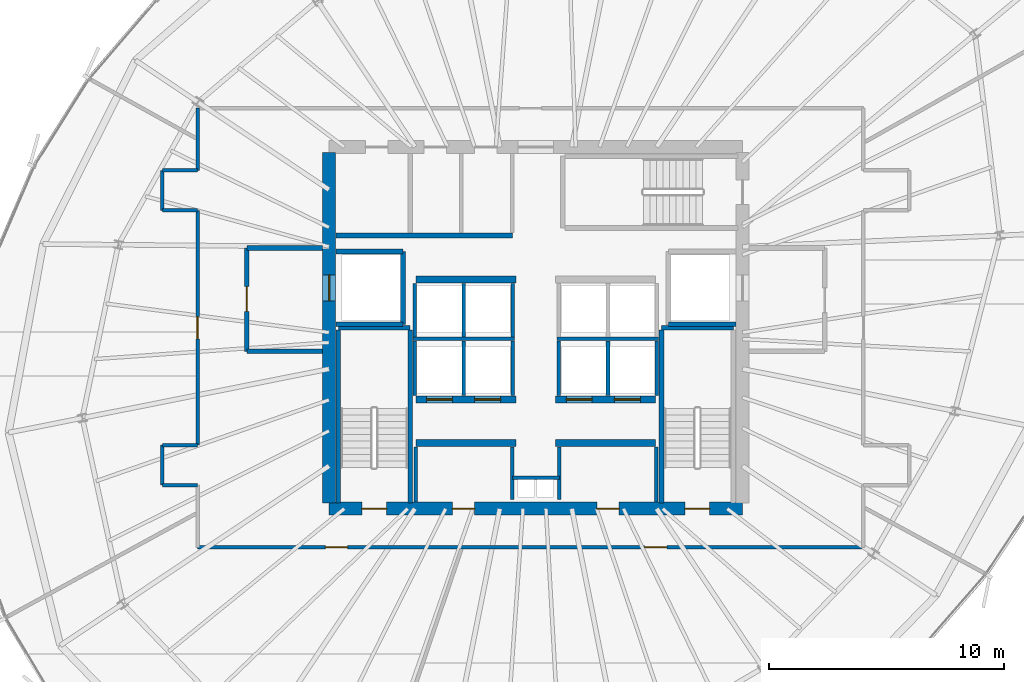
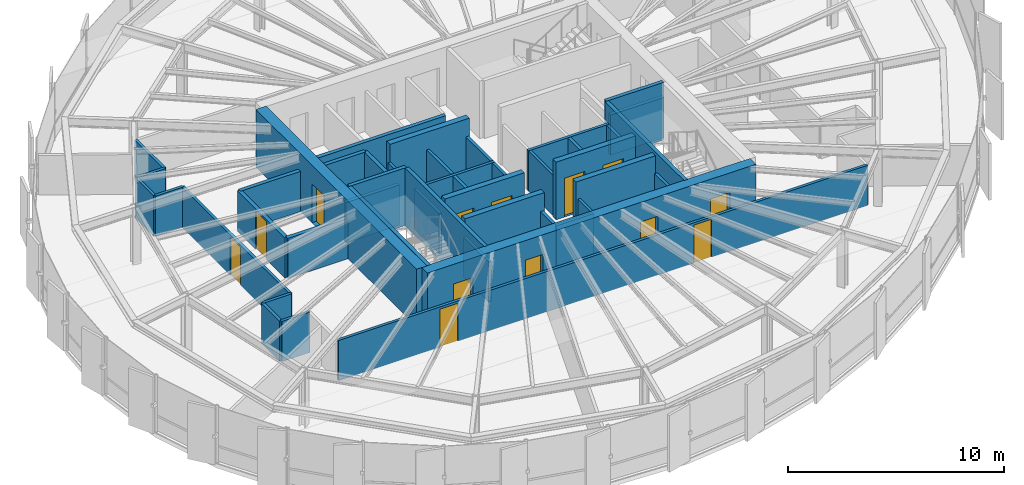
# One storey, part 29 of 34: 45 walls, 13 doors, 13 openings.
"""IFC4 building model written with IfcOpenShell, lengths in metres."""

from ifc_helpers import new_model, si_unit, direction, frame, frame_2d, origin, place, context, subcontext, project, spatial, rectangle, extrude, source, transform, mapped, material, layer, layer_set, type_object, element, fill, save


model = new_model("IFC4")

# Units and contexts
model_context = context("Model", 3, precision=1e-05, world=origin(), true_north=direction((0.0, 1.0)))
body_context = subcontext(model_context, "Body", "Model", "MODEL_VIEW")
ifc_project = project(units=[si_unit("LENGTHUNIT", "METRE"), si_unit("AREAUNIT", "SQUARE_METRE"), si_unit("VOLUMEUNIT", "CUBIC_METRE"), si_unit("PLANEANGLEUNIT", "RADIAN"), si_unit("MASSUNIT", "GRAM", prefix="KILO"), si_unit("THERMODYNAMICTEMPERATUREUNIT", "KELVIN")], contexts=[model_context])

# Site, building, storey
site_placement = place(None, origin())
site = spatial("IfcSite", under=ifc_project, at=site_placement, CompositionType="ELEMENT")
building_placement = place(site_placement, origin())
building = spatial("IfcBuilding", under=site, at=building_placement, Name="Kethvar Cultural Tower", CompositionType="ELEMENT")
storey_placement = place(building_placement, frame((0.0, 0.0, 183.39990234375)))
storey = spatial("IfcBuildingStorey", under=building, at=storey_placement, Name="L47", CompositionType="ELEMENT", Elevation=183.39990234375)

# Wall, openings, doors
ifc_material_1 = material(Name="Concrete C60/75", Category="concrete")
ifc_layer_1 = layer(ifc_material_1, 0.550048828125, Name="Concrete C60/75", Category="concrete")
ifc_layer_set_1 = layer_set([ifc_layer_1], Name="Concrete C60/75 (550 mm)")
wall_type_1 = type_object("IfcWallType", Name="WL-CORE-550", PredefinedType="SHEAR", material=ifc_layer_set_1)
wall_1_placement = place(storey_placement, frame((38.0, 20.10009765625, 0.0), z_axis=(0.0, 0.0, 1.0), x_axis=(1.0, 0.0, 0.0)))
wall_1 = element("IfcWall", 1, at=wall_1_placement, inside=storey, type_object=wall_type_1, Name="L47 Core Shear Wall S", PredefinedType="SHEAR", context=body_context, shape_type="SweptSolid", body=[
    extrude(rectangle(XDim=17.60009765625, YDim=0.550048828125, at=frame_2d((8.800048828125, 0.0))), origin(), (0.0, 0.0, 1.0), 3.260009765625),
])
opening_1_placement = place(wall_1_placement, frame((1.39990234375, 0.0, 0.0)))
opening_1 = element("IfcOpeningElement", 2, at=opening_1_placement, cuts=wall_1, Name="Opening D-L47-S1", PredefinedType="OPENING", context=body_context, shape_type="SweptSolid", body=[
    extrude(rectangle(XDim=1.050048828125, YDim=2.14990234375, at=frame_2d((0.52490234375, 1.074951171875))), frame((0.0, 0.284912109375, 0.0), z_axis=(0.0, -1.0, 0.0), x_axis=(1.0, 0.0, 0.0)), (0.0, 0.0, 1.0), 0.570068359375),
])
opening_2_placement = place(wall_1_placement, frame((15.14990234375, 0.0, 0.0)))
opening_2 = element("IfcOpeningElement", 3, at=opening_2_placement, cuts=wall_1, Name="Opening D-L47-ST2", PredefinedType="OPENING", context=body_context, shape_type="SweptSolid", body=[
    extrude(rectangle(XDim=1.050048828125, YDim=2.14990234375, at=frame_2d((0.52490234375, 1.074951171875))), frame((0.0, 0.284912109375, 0.0), z_axis=(0.0, -1.0, 0.0), x_axis=(1.0, 0.0, 0.0)), (0.0, 0.0, 1.0), 0.570068359375),
])
opening_3_placement = place(wall_1_placement, frame((5.25, 0.0, 0.0)))
opening_3 = element("IfcOpeningElement", 4, at=opening_3_placement, cuts=wall_1, Name="Opening D-L47-V1", PredefinedType="OPENING", context=body_context, shape_type="SweptSolid", body=[
    extrude(rectangle(XDim=0.949951171875, YDim=2.14990234375, at=frame_2d((0.47509765625, 1.074951171875))), frame((0.0, 0.284912109375, 0.0), z_axis=(0.0, -1.0, 0.0), x_axis=(1.0, 0.0, 0.0)), (0.0, 0.0, 1.0), 0.570068359375),
])
opening_4_placement = place(wall_1_placement, frame((11.39990234375, 0.0, 0.0)))
opening_4 = element("IfcOpeningElement", 5, at=opening_4_placement, cuts=wall_1, Name="Opening D-L47-V2", PredefinedType="OPENING", context=body_context, shape_type="SweptSolid", body=[
    extrude(rectangle(XDim=0.949951171875, YDim=2.14990234375, at=frame_2d((0.47509765625, 1.074951171875))), frame((0.0, 0.284912109375, 0.0), z_axis=(0.0, -1.0, 0.0), x_axis=(1.0, 0.0, 0.0)), (0.0, 0.0, 1.0), 0.570068359375),
])
ifc_material_2 = material(Name="Steel S355J2", Category="steel")
door_type_1 = type_object("IfcDoorType", Name="DR-FD60-1050", OperationType="NOTDEFINED", PredefinedType="DOOR", material=ifc_material_2)
shared_shape_1 = source(origin(), body_context, "Body", "SweptSolid", [
    extrude(rectangle(XDim=1.050048828125, YDim=2.14990234375, at=frame_2d((0.52490234375, 1.074951171875))), frame((0.0, 0.02490234375, 0.0), z_axis=(0.0, -1.0, 0.0), x_axis=(1.0, 0.0, 0.0)), (0.0, 0.0, 1.0), 0.050048828125),
])
door_1_placement = place(opening_1_placement, origin())
door_1 = element("IfcDoor", 6, at=door_1_placement, inside=storey, type_object=door_type_1, Name="L47 Exit Stair 1 Door", OperationType="SINGLE_SWING_LEFT", OverallHeight=2.14990234375, OverallWidth=1.050048828125, PredefinedType="DOOR", context=body_context, shape_type="MappedRepresentation", body=[
    mapped(shared_shape_1, transform((0.0, 0.0, 0.0), scale=1.0)),
])
fill(opening_1, door_1)
door_2_placement = place(opening_2_placement, origin())
door_2 = element("IfcDoor", 7, at=door_2_placement, inside=storey, type_object=door_type_1, Name="L47 Exit Stair 2 Door", OperationType="SINGLE_SWING_RIGHT", OverallHeight=2.14990234375, OverallWidth=1.050048828125, PredefinedType="DOOR", context=body_context, shape_type="MappedRepresentation", body=[
    mapped(shared_shape_1, transform((0.0, 0.0, 0.0), scale=1.0)),
])
fill(opening_2, door_2)
ifc_material_3 = material(Name="Architectural Oak Timber", Category="wood")
door_type_2 = type_object("IfcDoorType", Name="DR-FD30-950", OperationType="NOTDEFINED", PredefinedType="DOOR", material=ifc_material_3)
shared_shape_2 = source(origin(), body_context, "Body", "SweptSolid", [
    extrude(rectangle(XDim=0.949951171875, YDim=2.14990234375, at=frame_2d((0.47509765625, 1.074951171875))), frame((0.0, 0.02490234375, 0.0), z_axis=(0.0, -1.0, 0.0), x_axis=(1.0, 0.0, 0.0)), (0.0, 0.0, 1.0), 0.050048828125),
])
door_3_placement = place(opening_3_placement, origin())
door_3 = element("IfcDoor", 8, at=door_3_placement, inside=storey, type_object=door_type_2, Name="L47 Reclaimed West Room Door", OperationType="SINGLE_SWING_LEFT", OverallHeight=2.14990234375, OverallWidth=0.949951171875, PredefinedType="DOOR", context=body_context, shape_type="MappedRepresentation", body=[
    mapped(shared_shape_2, transform((0.0, 0.0, 0.0), scale=1.0)),
])
fill(opening_3, door_3)
door_4_placement = place(opening_4_placement, origin())
door_4 = element("IfcDoor", 9, at=door_4_placement, inside=storey, type_object=door_type_2, Name="L47 Reclaimed East Room Door", OperationType="SINGLE_SWING_RIGHT", OverallHeight=2.14990234375, OverallWidth=0.949951171875, PredefinedType="DOOR", context=body_context, shape_type="MappedRepresentation", body=[
    mapped(shared_shape_2, transform((0.0, 0.0, 0.0), scale=1.0)),
])
fill(opening_4, door_4)

# Wall, opening, door
wall_2_placement = place(storey_placement, frame((38.0, 35.260009765625, 0.0), z_axis=(0.0, 0.0, 1.0), x_axis=(0.0, -1.0, 0.0)))
wall_2 = element("IfcWall", 10, at=wall_2_placement, inside=storey, type_object=wall_type_1, Name="L47 Core Shear Wall W", PredefinedType="SHEAR", context=body_context, shape_type="SweptSolid", body=[
    extrude(rectangle(XDim=14.919921875, YDim=0.550048828125, at=frame_2d((7.4599609375, 0.0))), origin(), (0.0, 0.0, 1.0), 3.260009765625),
])
opening_5_placement = place(wall_2_placement, frame((5.2099609375, 0.0, 0.0)))
opening_5 = element("IfcOpeningElement", 11, at=opening_5_placement, cuts=wall_2, Name="Opening LD-1", PredefinedType="OPENING", context=body_context, shape_type="SweptSolid", body=[
    extrude(rectangle(XDim=1.10009765625, YDim=2.199951171875, at=frame_2d((0.550048828125, 1.10009765625))), frame((0.0, 0.284912109375, 0.0), z_axis=(0.0, -1.0, 0.0), x_axis=(1.0, 0.0, 0.0)), (0.0, 0.0, 1.0), 0.570068359375),
])
door_type_3 = type_object("IfcDoorType", Name="DR-LIFT-SLIDE-1100", OperationType="NOTDEFINED", PredefinedType="DOOR", material=ifc_material_2)
shared_shape_3 = source(origin(), body_context, "Body", "SweptSolid", [
    extrude(rectangle(XDim=1.10009765625, YDim=2.199951171875, at=frame_2d((0.550048828125, 1.10009765625))), frame((0.0, 0.02490234375, 0.0), z_axis=(0.0, -1.0, 0.0), x_axis=(1.0, 0.0, 0.0)), (0.0, 0.0, 1.0), 0.050048828125),
])
door_5_placement = place(opening_5_placement, origin())
door_5 = element("IfcDoor", 12, at=door_5_placement, inside=storey, type_object=door_type_3, Name="L47 Firefighting Lift Landing Door FFL-01", OperationType="SLIDING_TO_LEFT", OverallHeight=2.199951171875, OverallWidth=1.10009765625, PredefinedType="DOOR", context=body_context, shape_type="MappedRepresentation", body=[
    mapped(shared_shape_3, transform((0.0, 0.0, 0.0), scale=1.0)),
])
fill(opening_5, door_5)

# Walls
ifc_material_4 = material(Name="Gypsum Fireboard Partition")
ifc_layer_2 = layer(ifc_material_4, 0.14990234375, Name="Gypsum Fireboard Partition")
ifc_layer_set_2 = layer_set([ifc_layer_2], Name="Gypsum Fireboard Partition (150 mm)")
wall_type_2 = type_object("IfcWallType", Name="WL-FIRE-150", PredefinedType="PARTITIONING", material=ifc_layer_set_2)
wall_3_placement = place(storey_placement, frame((45.800048828125, 21.419921875, 0.0), z_axis=(0.0, 0.0, 1.0), x_axis=(1.0, 0.0, 0.0)))
element("IfcWall", 13, at=wall_3_placement, inside=storey, type_object=wall_type_2, Name="L47 Core Riser Wall", PredefinedType="PARTITIONING", context=body_context, shape_type="SweptSolid", body=[
    extrude(rectangle(XDim=2.0, YDim=0.14990234375, at=frame_2d((1.0, 0.0))), origin(), (0.0, 0.0, 1.0), 2.280029296875),
])
for number, where, z_axis, x_axis, name in (
    (14, (45.800048828125, 20.47998046875, 0.0), (0.0, 0.0, 1.0), (0.0, 1.0, 0.0), "L47 Core Riser West Wall"),
    (15, (47.800048828125, 20.47998046875, 0.0), (0.0, 0.0, 1.0), (0.0, 1.0, 0.0), "L47 Core Riser East Wall"),
):
    element("IfcWall", number, at=place(storey_placement, frame(where, z_axis=z_axis, x_axis=x_axis)), inside=storey, type_object=wall_type_2, Name=name, PredefinedType="PARTITIONING", context=body_context, shape_type="SweptSolid", body=[
        extrude(rectangle(XDim=2.239990234375, YDim=0.14990234375, at=frame_2d((1.1201171875, 0.0))), origin(), (0.0, 0.0, 1.0), 2.280029296875),
    ])
for number, where, z_axis, x_axis, name in (
    (16, (41.679931640625, 20.385009765625, 0.0), (0.0, 0.0, 1.0), (0.0, 1.0, 0.0), "L47 Reclaimed West Outer Wall"),
    (17, (51.919921875, 20.385009765625, 0.0), (0.0, 0.0, 1.0), (0.0, 1.0, 0.0), "L47 Reclaimed East Outer Wall"),
):
    element("IfcWall", number, at=place(storey_placement, frame(where, z_axis=z_axis, x_axis=x_axis)), inside=storey, type_object=wall_type_2, Name=name, PredefinedType="PARTITIONING", context=body_context, shape_type="SweptSolid", body=[
        extrude(rectangle(XDim=2.344970703125, YDim=0.14990234375, at=frame_2d((1.17236328125, 0.0))), origin(), (0.0, 0.0, 1.0), 2.280029296875),
    ])
wall_4_placement = place(storey_placement, frame((41.580078125, 27.324951171875, 0.0), z_axis=(0.0, 0.0, 1.0), x_axis=(1.0, 0.0, 0.0)))
element("IfcWall", 18, at=wall_4_placement, inside=storey, type_object=wall_type_2, Name="L47 Mid-High Lift Shaft Back Wall W", PredefinedType="PARTITIONING", context=body_context, shape_type="SweptSolid", body=[
    extrude(rectangle(XDim=4.31982421875, YDim=0.14990234375, at=frame_2d((2.159912109375, 0.0))), origin(), (0.0, 0.0, 1.0), 2.280029296875),
])
wall_5_placement = place(storey_placement, frame((47.699951171875, 27.324951171875, 0.0), z_axis=(0.0, 0.0, 1.0), x_axis=(1.0, 0.0, 0.0)))
element("IfcWall", 19, at=wall_5_placement, inside=storey, type_object=wall_type_2, Name="L47 Mid-High Lift Shaft Back Wall E", PredefinedType="PARTITIONING", context=body_context, shape_type="SweptSolid", body=[
    extrude(rectangle(XDim=4.320068359375, YDim=0.14990234375, at=frame_2d((2.16015625, 0.0))), origin(), (0.0, 0.0, 1.0), 2.280029296875),
])
for number, where, z_axis, x_axis, name in (
    (20, (41.64990234375, 24.919921875, 0.0), (0.0, 0.0, 1.0), (0.0, 1.0, 0.0), "L47 Mid-Rise Lift Shaft Outer Wall W"),
    (21, (43.72509765625, 24.919921875, 0.0), (0.0, 0.0, 1.0), (0.0, 1.0, 0.0), "L47 Mid-Rise Lift Shaft Divider W"),
    (22, (45.824951171875, 24.919921875, 0.0), (0.0, 0.0, 1.0), (0.0, 1.0, 0.0), "L47 Mid-Rise Lift Shaft Concourse Wall W"),
    (23, (47.77490234375, 24.919921875, 0.0), (0.0, 0.0, 1.0), (0.0, 1.0, 0.0), "L47 Mid-Rise Lift Shaft Concourse Wall E"),
    (24, (49.875, 24.919921875, 0.0), (0.0, 0.0, 1.0), (0.0, 1.0, 0.0), "L47 Mid-Rise Lift Shaft Divider E"),
    (25, (51.949951171875, 24.919921875, 0.0), (0.0, 0.0, 1.0), (0.0, 1.0, 0.0), "L47 Mid-Rise Lift Shaft Outer Wall E"),
):
    element("IfcWall", number, at=place(storey_placement, frame(where, z_axis=z_axis, x_axis=x_axis)), inside=storey, type_object=wall_type_2, Name=name, PredefinedType="PARTITIONING", context=body_context, shape_type="SweptSolid", body=[
        extrude(rectangle(XDim=2.320068359375, YDim=0.14990234375, at=frame_2d((1.16015625, 0.0))), origin(), (0.0, 0.0, 1.0), 2.280029296875),
    ])
for number, where, z_axis, x_axis, name in (
    (26, (41.64990234375, 27.409912109375, 0.0), (0.0, 0.0, 1.0), (0.0, 1.0, 0.0), "L47 High-Rise Lift Shaft Outer Wall W"),
    (27, (43.72509765625, 27.409912109375, 0.0), (0.0, 0.0, 1.0), (0.0, 1.0, 0.0), "L47 High-Rise Lift Shaft Divider W"),
    (28, (45.824951171875, 27.409912109375, 0.0), (0.0, 0.0, 1.0), (0.0, 1.0, 0.0), "L47 High-Rise Lift Shaft Concourse Wall W"),
):
    element("IfcWall", number, at=place(storey_placement, frame(where, z_axis=z_axis, x_axis=x_axis)), inside=storey, type_object=wall_type_2, Name=name, PredefinedType="PARTITIONING", context=body_context, shape_type="SweptSolid", body=[
        extrude(rectangle(XDim=2.27001953125, YDim=0.14990234375, at=frame_2d((1.135009765625, 0.0))), origin(), (0.0, 0.0, 1.0), 2.280029296875),
    ])

# Wall, openings, doors
wall_6_placement = place(storey_placement, frame((32.39990234375, 18.449951171875, 0.0), z_axis=(0.0, 0.0, 1.0), x_axis=(1.0, 0.0, 0.0)))
wall_6 = element("IfcWall", 29, at=wall_6_placement, inside=storey, type_object=wall_type_2, Name="L47 Corridor Rated Wall S", PredefinedType="PARTITIONING", context=body_context, shape_type="SweptSolid", body=[
    extrude(rectangle(XDim=28.35009765625, YDim=0.14990234375, at=frame_2d((14.175048828125, 0.0))), origin(), (0.0, 0.0, 1.0), 2.280029296875),
])
opening_6_placement = place(wall_6_placement, frame((5.443603515625, 0.0, 0.0)))
opening_6 = element("IfcOpeningElement", 30, at=opening_6_placement, cuts=wall_6, Name="Opening D-L47-01", PredefinedType="OPENING", context=body_context, shape_type="SweptSolid", body=[
    extrude(rectangle(XDim=0.949951171875, YDim=2.14990234375, at=frame_2d((0.47509765625, 1.074951171875))), frame((0.0, 0.0849609375, 0.0), z_axis=(0.0, -1.0, 0.0), x_axis=(1.0, 0.0, 0.0)), (0.0, 0.0, 1.0), 0.169921875),
])
opening_7_placement = place(wall_6_placement, frame((19.031005859375, 0.0, 0.0)))
opening_7 = element("IfcOpeningElement", 31, at=opening_7_placement, cuts=wall_6, Name="Opening D-L47-02", PredefinedType="OPENING", context=body_context, shape_type="SweptSolid", body=[
    extrude(rectangle(XDim=0.949951171875, YDim=2.14990234375, at=frame_2d((0.47509765625, 1.074951171875))), frame((0.0, 0.0849609375, 0.0), z_axis=(0.0, -1.0, 0.0), x_axis=(1.0, 0.0, 0.0)), (0.0, 0.0, 1.0), 0.169921875),
])
door_6_placement = place(opening_6_placement, origin())
door_6 = element("IfcDoor", 32, at=door_6_placement, inside=storey, type_object=door_type_2, Name="L47 Sculpture Media Salon 01 Door", OperationType="SINGLE_SWING_RIGHT", OverallHeight=2.14990234375, OverallWidth=0.949951171875, PredefinedType="DOOR", context=body_context, shape_type="MappedRepresentation", body=[
    mapped(shared_shape_2, transform((0.0, 0.0, 0.0), scale=1.0)),
])
fill(opening_6, door_6)
door_7_placement = place(opening_7_placement, origin())
door_7 = element("IfcDoor", 33, at=door_7_placement, inside=storey, type_object=door_type_2, Name="L47 Design Review Boardroom 02 Door", OperationType="SINGLE_SWING_LEFT", OverallHeight=2.14990234375, OverallWidth=0.949951171875, PredefinedType="DOOR", context=body_context, shape_type="MappedRepresentation", body=[
    mapped(shared_shape_2, transform((0.0, 0.0, 0.0), scale=1.0)),
])
fill(opening_7, door_7)

# Walls
wall_7_placement = place(storey_placement, frame((32.39990234375, 37.14990234375, 0.0), z_axis=(0.0, 0.0, 1.0), x_axis=(0.0, -1.0, 0.0)))
element("IfcWall", 34, at=wall_7_placement, inside=storey, type_object=wall_type_2, Name="L47 Corridor Rated Wall W2", PredefinedType="PARTITIONING", context=body_context, shape_type="SweptSolid", body=[
    extrude(rectangle(XDim=2.64990234375, YDim=0.14990234375, at=frame_2d((1.324951171875, 0.0))), origin(), (0.0, 0.0, 1.0), 2.280029296875),
])
wall_8_placement = place(storey_placement, frame((32.39990234375, 34.5, 0.0), z_axis=(0.0, 0.0, 1.0), x_axis=(-1.0, 0.0, 0.0)))
element("IfcWall", 35, at=wall_8_placement, inside=storey, type_object=wall_type_2, Name="L47 Corridor Rated Wall WNT", PredefinedType="PARTITIONING", context=body_context, shape_type="SweptSolid", body=[
    extrude(rectangle(XDim=1.5, YDim=0.14990234375, at=frame_2d((0.75, 0.0))), origin(), (0.0, 0.0, 1.0), 2.280029296875),
])
wall_9_placement = place(storey_placement, frame((30.89990234375, 34.5, 0.0), z_axis=(0.0, 0.0, 1.0), x_axis=(0.0, -1.0, 0.0)))
element("IfcWall", 36, at=wall_9_placement, inside=storey, type_object=wall_type_2, Name="L47 Corridor Rated Wall WN", PredefinedType="PARTITIONING", context=body_context, shape_type="SweptSolid", body=[
    extrude(rectangle(XDim=1.699951171875, YDim=0.14990234375, at=frame_2d((0.85009765625, 0.0))), origin(), (0.0, 0.0, 1.0), 2.280029296875),
])
wall_10_placement = place(storey_placement, frame((30.89990234375, 32.800048828125, 0.0), z_axis=(0.0, 0.0, 1.0), x_axis=(1.0, 0.0, 0.0)))
element("IfcWall", 37, at=wall_10_placement, inside=storey, type_object=wall_type_2, Name="L47 Corridor Rated Wall WNB", PredefinedType="PARTITIONING", context=body_context, shape_type="SweptSolid", body=[
    extrude(rectangle(XDim=1.5, YDim=0.14990234375, at=frame_2d((0.75, 0.0))), origin(), (0.0, 0.0, 1.0), 2.280029296875),
])

# Wall, opening, door
wall_11_placement = place(storey_placement, frame((32.39990234375, 32.800048828125, 0.0), z_axis=(0.0, 0.0, 1.0), x_axis=(0.0, -1.0, 0.0)))
wall_11 = element("IfcWall", 38, at=wall_11_placement, inside=storey, type_object=wall_type_2, Name="L47 Corridor Rated Wall WM", PredefinedType="PARTITIONING", context=body_context, shape_type="SweptSolid", body=[
    extrude(rectangle(XDim=10.0, YDim=0.14990234375, at=frame_2d((5.0, 0.0))), origin(), (0.0, 0.0, 1.0), 2.280029296875),
])
opening_8_placement = place(wall_11_placement, frame((4.52490234375, 0.0, 0.0)))
opening_8 = element("IfcOpeningElement", 39, at=opening_8_placement, cuts=wall_11, Name="Opening D-L47-05", PredefinedType="OPENING", context=body_context, shape_type="SweptSolid", body=[
    extrude(rectangle(XDim=0.949951171875, YDim=2.14990234375, at=frame_2d((0.47509765625, 1.074951171875))), frame((0.0, 0.0849609375, 0.0), z_axis=(0.0, -1.0, 0.0), x_axis=(1.0, 0.0, 0.0)), (0.0, 0.0, 1.0), 0.169921875),
])
door_8_placement = place(opening_8_placement, origin())
door_8 = element("IfcDoor", 40, at=door_8_placement, inside=storey, type_object=door_type_2, Name="L47 Special Collections Storage 05 Door", OperationType="SINGLE_SWING_RIGHT", OverallHeight=2.14990234375, OverallWidth=0.949951171875, PredefinedType="DOOR", context=body_context, shape_type="MappedRepresentation", body=[
    mapped(shared_shape_2, transform((0.0, 0.0, 0.0), scale=1.0)),
])
fill(opening_8, door_8)

# Walls
wall_12_placement = place(storey_placement, frame((32.39990234375, 22.800048828125, 0.0), z_axis=(0.0, 0.0, 1.0), x_axis=(-1.0, 0.0, 0.0)))
element("IfcWall", 41, at=wall_12_placement, inside=storey, type_object=wall_type_2, Name="L47 Corridor Rated Wall WST", PredefinedType="PARTITIONING", context=body_context, shape_type="SweptSolid", body=[
    extrude(rectangle(XDim=1.5, YDim=0.14990234375, at=frame_2d((0.75, 0.0))), origin(), (0.0, 0.0, 1.0), 2.280029296875),
])
wall_13_placement = place(storey_placement, frame((30.89990234375, 22.800048828125, 0.0), z_axis=(0.0, 0.0, 1.0), x_axis=(0.0, -1.0, 0.0)))
element("IfcWall", 42, at=wall_13_placement, inside=storey, type_object=wall_type_2, Name="L47 Corridor Rated Wall WS", PredefinedType="PARTITIONING", context=body_context, shape_type="SweptSolid", body=[
    extrude(rectangle(XDim=1.699951171875, YDim=0.14990234375, at=frame_2d((0.85009765625, 0.0))), origin(), (0.0, 0.0, 1.0), 2.280029296875),
])
wall_14_placement = place(storey_placement, frame((30.89990234375, 21.10009765625, 0.0), z_axis=(0.0, 0.0, 1.0), x_axis=(1.0, 0.0, 0.0)))
element("IfcWall", 43, at=wall_14_placement, inside=storey, type_object=wall_type_2, Name="L47 Corridor Rated Wall WSB", PredefinedType="PARTITIONING", context=body_context, shape_type="SweptSolid", body=[
    extrude(rectangle(XDim=1.5, YDim=0.14990234375, at=frame_2d((0.75, 0.0))), origin(), (0.0, 0.0, 1.0), 2.280029296875),
])
ifc_material_5 = material(Name="Concrete C40/50", Category="concrete")
ifc_layer_3 = layer(ifc_material_5, 0.199951171875, Name="Concrete C40/50", Category="concrete")
ifc_layer_set_3 = layer_set([ifc_layer_3], Name="Concrete C40/50 (200 mm)")
wall_type_3 = type_object("IfcWallType", Name="WL-FIRE-200", PredefinedType="PARTITIONING", material=ifc_layer_set_3)
wall_15_placement = place(storey_placement, frame((41.14990234375, 27.949951171875, 0.0), z_axis=(0.0, 0.0, 1.0), x_axis=(0.0, 1.0, 0.0)))
element("IfcWall", 44, at=wall_15_placement, inside=storey, type_object=wall_type_3, Name="L47 FFL-01 Shaft Inner Wall", PredefinedType="PARTITIONING", context=body_context, shape_type="SweptSolid", body=[
    extrude(rectangle(XDim=3.10009765625, YDim=0.199951171875, at=frame_2d((1.550048828125, 0.0))), origin(), (0.0, 0.0, 1.0), 2.280029296875),
])
for number, where, z_axis, x_axis, name in (
    (45, (38.284912109375, 27.949951171875, 0.0), (0.0, 0.0, 1.0), (1.0, 0.0, 0.0), "L47 FFL-01 Shaft South Wall"),
    (46, (38.284912109375, 31.050048828125, 0.0), (0.0, 0.0, 1.0), (1.0, 0.0, 0.0), "L47 FFL-01 Shaft North Wall"),
):
    element("IfcWall", number, at=place(storey_placement, frame(where, z_axis=z_axis, x_axis=x_axis)), inside=storey, type_object=wall_type_3, Name=name, PredefinedType="PARTITIONING", context=body_context, shape_type="SweptSolid", body=[
        extrude(rectangle(XDim=2.864990234375, YDim=0.199951171875, at=frame_2d((1.4326171875, 0.0))), origin(), (0.0, 0.0, 1.0), 2.280029296875),
    ])

# Wall, opening, door
wall_16_placement = place(storey_placement, frame((34.5, 31.199951171875, 0.0), z_axis=(0.0, 0.0, 1.0), x_axis=(0.0, -1.0, 0.0)))
wall_16 = element("IfcWall", 47, at=wall_16_placement, inside=storey, type_object=wall_type_3, Name="L47 Firefighting Lobby 1 Wall", PredefinedType="PARTITIONING", context=body_context, shape_type="SweptSolid", body=[
    extrude(rectangle(XDim=4.39990234375, YDim=0.199951171875, at=frame_2d((2.199951171875, 0.0))), origin(), (0.0, 0.0, 1.0), 2.280029296875),
])
opening_9_placement = place(wall_16_placement, frame((1.64990234375, 0.0, 0.0)))
opening_9 = element("IfcOpeningElement", 48, at=opening_9_placement, cuts=wall_16, Name="Opening D-L47-F1", PredefinedType="OPENING", context=body_context, shape_type="SweptSolid", body=[
    extrude(rectangle(XDim=1.050048828125, YDim=2.14990234375, at=frame_2d((0.52490234375, 1.074951171875))), frame((0.0, 0.10986328125, 0.0), z_axis=(0.0, -1.0, 0.0), x_axis=(1.0, 0.0, 0.0)), (0.0, 0.0, 1.0), 0.219970703125),
])
door_9_placement = place(opening_9_placement, origin())
door_9 = element("IfcDoor", 49, at=door_9_placement, inside=storey, type_object=door_type_1, Name="L47 Firefighting Lobby 1 Fire Door", OperationType="SINGLE_SWING_LEFT", OverallHeight=2.14990234375, OverallWidth=1.050048828125, PredefinedType="DOOR", context=body_context, shape_type="MappedRepresentation", body=[
    mapped(shared_shape_1, transform((0.0, 0.0, 0.0), scale=1.0)),
])
fill(opening_9, door_9)

# Walls
for number, where, z_axis, x_axis, name in (
    (50, (34.5, 26.800048828125, 0.0), (0.0, 0.0, 1.0), (1.0, 0.0, 0.0), "L47 FF Lobby 1 South Wall"),
    (51, (34.5, 31.199951171875, 0.0), (0.0, 0.0, 1.0), (1.0, 0.0, 0.0), "L47 FF Lobby 1 North Wall"),
):
    element("IfcWall", number, at=place(storey_placement, frame(where, z_axis=z_axis, x_axis=x_axis)), inside=storey, type_object=wall_type_3, Name=name, PredefinedType="PARTITIONING", context=body_context, shape_type="SweptSolid", body=[
        extrude(rectangle(XDim=3.215087890625, YDim=0.199951171875, at=frame_2d((1.607421875, 0.0))), origin(), (0.0, 0.0, 1.0), 2.280029296875),
    ])
wall_17_placement = place(storey_placement, frame((52.449951171875, 27.949951171875, 0.0), z_axis=(0.0, 0.0, 1.0), x_axis=(1.0, 0.0, 0.0)))
element("IfcWall", 52, at=wall_17_placement, inside=storey, type_object=wall_type_3, Name="L47 FFL-02 Shaft South Wall", PredefinedType="PARTITIONING", context=body_context, shape_type="SweptSolid", body=[
    extrude(rectangle(XDim=2.864990234375, YDim=0.199951171875, at=frame_2d((1.4326171875, 0.0))), origin(), (0.0, 0.0, 1.0), 2.280029296875),
])
wall_18_placement = place(storey_placement, frame((38.284912109375, 31.72998046875, 0.0), z_axis=(0.0, 0.0, 1.0), x_axis=(1.0, 0.0, 0.0)))
element("IfcWall", 53, at=wall_18_placement, inside=storey, type_object=wall_type_3, Name="L47 North Core Sanitary South Wall", PredefinedType="PARTITIONING", context=body_context, shape_type="SweptSolid", body=[
    extrude(rectangle(XDim=7.51513671875, YDim=0.199951171875, at=frame_2d((3.757568359375, 0.0))), origin(), (0.0, 0.0, 1.0), 2.280029296875),
])
ifc_material_6 = material(Name="Concrete C50/60", Category="concrete")
ifc_layer_4 = layer(ifc_material_6, 0.300048828125, Name="Concrete C50/60", Category="concrete")
ifc_layer_set_4 = layer_set([ifc_layer_4], Name="Concrete C50/60 (300 mm)")
wall_type_4 = type_object("IfcWallType", Name="WL-SHAFT-300", PredefinedType="SHEAR", material=ifc_layer_set_4)
for number, where, z_axis, x_axis, name in (
    (54, (41.699951171875, 22.89990234375, 0.0), (0.0, 0.0, 1.0), (1.0, 0.0, 0.0), "L47 Core Lift Spine Wall MID1W"),
    (55, (47.64990234375, 22.89990234375, 0.0), (0.0, 0.0, 1.0), (1.0, 0.0, 0.0), "L47 Core Lift Spine Wall MID1E"),
):
    element("IfcWall", number, at=place(storey_placement, frame(where, z_axis=z_axis, x_axis=x_axis)), inside=storey, type_object=wall_type_4, Name=name, PredefinedType="SHEAR", context=body_context, shape_type="SweptSolid", body=[
        extrude(rectangle(XDim=4.25, YDim=0.300048828125, at=frame_2d((2.125, 0.0))), origin(), (0.0, 0.0, 1.0), 3.260009765625),
    ])

# Wall, openings, doors
wall_19_placement = place(storey_placement, frame((41.699951171875, 24.75, 0.0), z_axis=(0.0, 0.0, 1.0), x_axis=(1.0, 0.0, 0.0)))
wall_19 = element("IfcWall", 56, at=wall_19_placement, inside=storey, type_object=wall_type_4, Name="L47 Core Lift Spine Wall MID2W", PredefinedType="SHEAR", context=body_context, shape_type="SweptSolid", body=[
    extrude(rectangle(XDim=4.25, YDim=0.300048828125, at=frame_2d((2.125, 0.0))), origin(), (0.0, 0.0, 1.0), 3.260009765625),
])
opening_10_placement = place(wall_19_placement, frame((0.449951171875, 0.0, 0.0)))
opening_10 = element("IfcOpeningElement", 57, at=opening_10_placement, cuts=wall_19, Name="Opening LD-M1", PredefinedType="OPENING", context=body_context, shape_type="SweptSolid", body=[
    extrude(rectangle(XDim=1.10009765625, YDim=2.199951171875, at=frame_2d((0.550048828125, 1.10009765625))), frame((0.0, 0.159912109375, 0.0), z_axis=(0.0, -1.0, 0.0), x_axis=(1.0, 0.0, 0.0)), (0.0, 0.0, 1.0), 0.320068359375),
])
opening_11_placement = place(wall_19_placement, frame((2.5, 0.0, 0.0)))
opening_11 = element("IfcOpeningElement", 58, at=opening_11_placement, cuts=wall_19, Name="Opening LD-M2", PredefinedType="OPENING", context=body_context, shape_type="SweptSolid", body=[
    extrude(rectangle(XDim=1.10009765625, YDim=2.199951171875, at=frame_2d((0.550048828125, 1.10009765625))), frame((0.0, 0.159912109375, 0.0), z_axis=(0.0, -1.0, 0.0), x_axis=(1.0, 0.0, 0.0)), (0.0, 0.0, 1.0), 0.320068359375),
])
door_10_placement = place(opening_10_placement, origin())
door_10 = element("IfcDoor", 59, at=door_10_placement, inside=storey, type_object=door_type_3, Name="L47 Mid-Rise Lift Landing Door M1", OperationType="SLIDING_TO_RIGHT", OverallHeight=2.199951171875, OverallWidth=1.10009765625, PredefinedType="DOOR", context=body_context, shape_type="MappedRepresentation", body=[
    mapped(shared_shape_3, transform((0.0, 0.0, 0.0), scale=1.0)),
])
fill(opening_10, door_10)
door_11_placement = place(opening_11_placement, origin())
door_11 = element("IfcDoor", 60, at=door_11_placement, inside=storey, type_object=door_type_3, Name="L47 Mid-Rise Lift Landing Door M2", OperationType="SLIDING_TO_RIGHT", OverallHeight=2.199951171875, OverallWidth=1.10009765625, PredefinedType="DOOR", context=body_context, shape_type="MappedRepresentation", body=[
    mapped(shared_shape_3, transform((0.0, 0.0, 0.0), scale=1.0)),
])
fill(opening_11, door_11)

wall_20_placement = place(storey_placement, frame((47.64990234375, 24.75, 0.0), z_axis=(0.0, 0.0, 1.0), x_axis=(1.0, 0.0, 0.0)))
wall_20 = element("IfcWall", 61, at=wall_20_placement, inside=storey, type_object=wall_type_4, Name="L47 Core Lift Spine Wall MID2E", PredefinedType="SHEAR", context=body_context, shape_type="SweptSolid", body=[
    extrude(rectangle(XDim=4.25, YDim=0.300048828125, at=frame_2d((2.125, 0.0))), origin(), (0.0, 0.0, 1.0), 3.260009765625),
])
opening_12_placement = place(wall_20_placement, frame((0.449951171875, 0.0, 0.0)))
opening_12 = element("IfcOpeningElement", 62, at=opening_12_placement, cuts=wall_20, Name="Opening LD-M3", PredefinedType="OPENING", context=body_context, shape_type="SweptSolid", body=[
    extrude(rectangle(XDim=1.10009765625, YDim=2.199951171875, at=frame_2d((0.550048828125, 1.10009765625))), frame((0.0, 0.159912109375, 0.0), z_axis=(0.0, -1.0, 0.0), x_axis=(1.0, 0.0, 0.0)), (0.0, 0.0, 1.0), 0.320068359375),
])
opening_13_placement = place(wall_20_placement, frame((2.5, 0.0, 0.0)))
opening_13 = element("IfcOpeningElement", 63, at=opening_13_placement, cuts=wall_20, Name="Opening LD-M4", PredefinedType="OPENING", context=body_context, shape_type="SweptSolid", body=[
    extrude(rectangle(XDim=1.10009765625, YDim=2.199951171875, at=frame_2d((0.550048828125, 1.10009765625))), frame((0.0, 0.159912109375, 0.0), z_axis=(0.0, -1.0, 0.0), x_axis=(1.0, 0.0, 0.0)), (0.0, 0.0, 1.0), 0.320068359375),
])
door_12_placement = place(opening_12_placement, origin())
door_12 = element("IfcDoor", 64, at=door_12_placement, inside=storey, type_object=door_type_3, Name="L47 Mid-Rise Lift Landing Door M3", OperationType="SLIDING_TO_RIGHT", OverallHeight=2.199951171875, OverallWidth=1.10009765625, PredefinedType="DOOR", context=body_context, shape_type="MappedRepresentation", body=[
    mapped(shared_shape_3, transform((0.0, 0.0, 0.0), scale=1.0)),
])
fill(opening_12, door_12)
door_13_placement = place(opening_13_placement, origin())
door_13 = element("IfcDoor", 65, at=door_13_placement, inside=storey, type_object=door_type_3, Name="L47 Mid-Rise Lift Landing Door M4", OperationType="SLIDING_TO_RIGHT", OverallHeight=2.199951171875, OverallWidth=1.10009765625, PredefinedType="DOOR", context=body_context, shape_type="MappedRepresentation", body=[
    mapped(shared_shape_3, transform((0.0, 0.0, 0.0), scale=1.0)),
])
fill(opening_13, door_13)

# Walls
wall_21_placement = place(storey_placement, frame((41.699951171875, 29.85009765625, 0.0), z_axis=(0.0, 0.0, 1.0), x_axis=(1.0, 0.0, 0.0)))
element("IfcWall", 66, at=wall_21_placement, inside=storey, type_object=wall_type_4, Name="L47 Core Lift Spine Wall MID3W", PredefinedType="SHEAR", context=body_context, shape_type="SweptSolid", body=[
    extrude(rectangle(XDim=4.25, YDim=0.300048828125, at=frame_2d((2.125, 0.0))), origin(), (0.0, 0.0, 1.0), 3.260009765625),
])
ifc_layer_5 = layer(ifc_material_6, 0.199951171875, Name="Concrete C50/60", Category="concrete")
ifc_layer_set_5 = layer_set([ifc_layer_5], Name="Concrete C50/60 (200 mm)")
wall_type_5 = type_object("IfcWallType", Name="WL-STSHAFT-200", PredefinedType="SHEAR", material=ifc_layer_set_5)
wall_22_placement = place(storey_placement, frame((38.389892578125, 27.800048828125, 0.0), z_axis=(0.0, 0.0, 1.0), x_axis=(1.0, 0.0, 0.0)))
element("IfcWall", 67, at=wall_22_placement, inside=storey, type_object=wall_type_5, Name="L47 ST-01 Stair Shaft Wall FAR", PredefinedType="SHEAR", context=body_context, shape_type="SweptSolid", body=[
    extrude(rectangle(XDim=3.06005859375, YDim=0.199951171875, at=frame_2d((1.530029296875, 0.0))), origin(), (0.0, 0.0, 1.0), 3.260009765625),
])
for number, where, z_axis, x_axis, name in (
    (68, (41.449951171875, 27.699951171875, 0.0), (0.0, 0.0, 1.0), (0.0, -1.0, 0.0), "L47 ST-01 Stair Shaft Wall LEFT"),
    (69, (38.389892578125, 20.35009765625, 0.0), (0.0, 0.0, 1.0), (0.0, 1.0, 0.0), "L47 ST-01 Stair Shaft Wall RIGHT"),
):
    element("IfcWall", number, at=place(storey_placement, frame(where, z_axis=z_axis, x_axis=x_axis)), inside=storey, type_object=wall_type_5, Name=name, PredefinedType="SHEAR", context=body_context, shape_type="SweptSolid", body=[
        extrude(rectangle(XDim=7.349853515625, YDim=0.199951171875, at=frame_2d((3.6748046875, 0.0))), origin(), (0.0, 0.0, 1.0), 3.260009765625),
    ])
wall_23_placement = place(storey_placement, frame((52.14990234375, 27.800048828125, 0.0), z_axis=(0.0, 0.0, 1.0), x_axis=(1.0, 0.0, 0.0)))
element("IfcWall", 70, at=wall_23_placement, inside=storey, type_object=wall_type_5, Name="L47 ST-02 Stair Shaft Wall FAR", PredefinedType="SHEAR", context=body_context, shape_type="SweptSolid", body=[
    extrude(rectangle(XDim=3.06005859375, YDim=0.199951171875, at=frame_2d((1.530029296875, 0.0))), origin(), (0.0, 0.0, 1.0), 3.260009765625),
])
wall_24_placement = place(storey_placement, frame((52.14990234375, 20.35009765625, 0.0), z_axis=(0.0, 0.0, 1.0), x_axis=(0.0, 1.0, 0.0)))
element("IfcWall", 71, at=wall_24_placement, inside=storey, type_object=wall_type_5, Name="L47 ST-02 Stair Shaft Wall RIGHT", PredefinedType="SHEAR", context=body_context, shape_type="SweptSolid", body=[
    extrude(rectangle(XDim=7.349853515625, YDim=0.199951171875, at=frame_2d((3.6748046875, 0.0))), origin(), (0.0, 0.0, 1.0), 3.260009765625),
])

save(model, "model.ifc")
